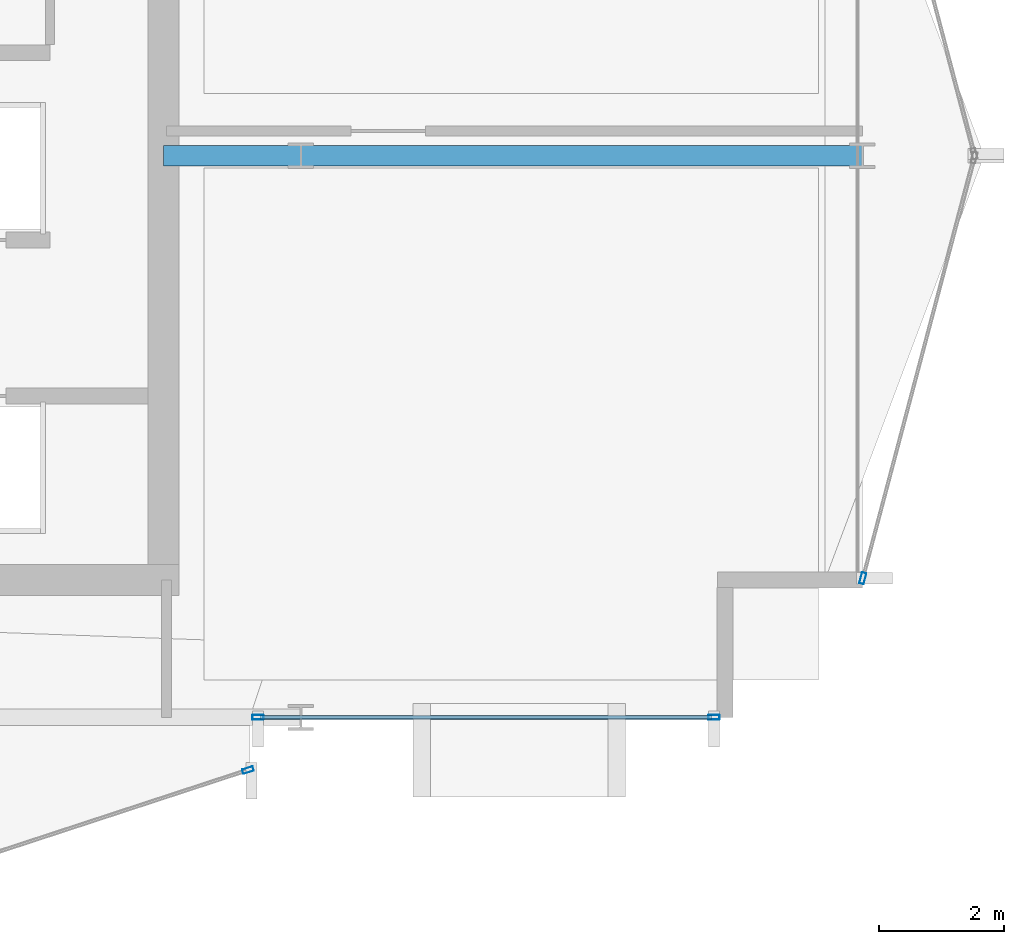
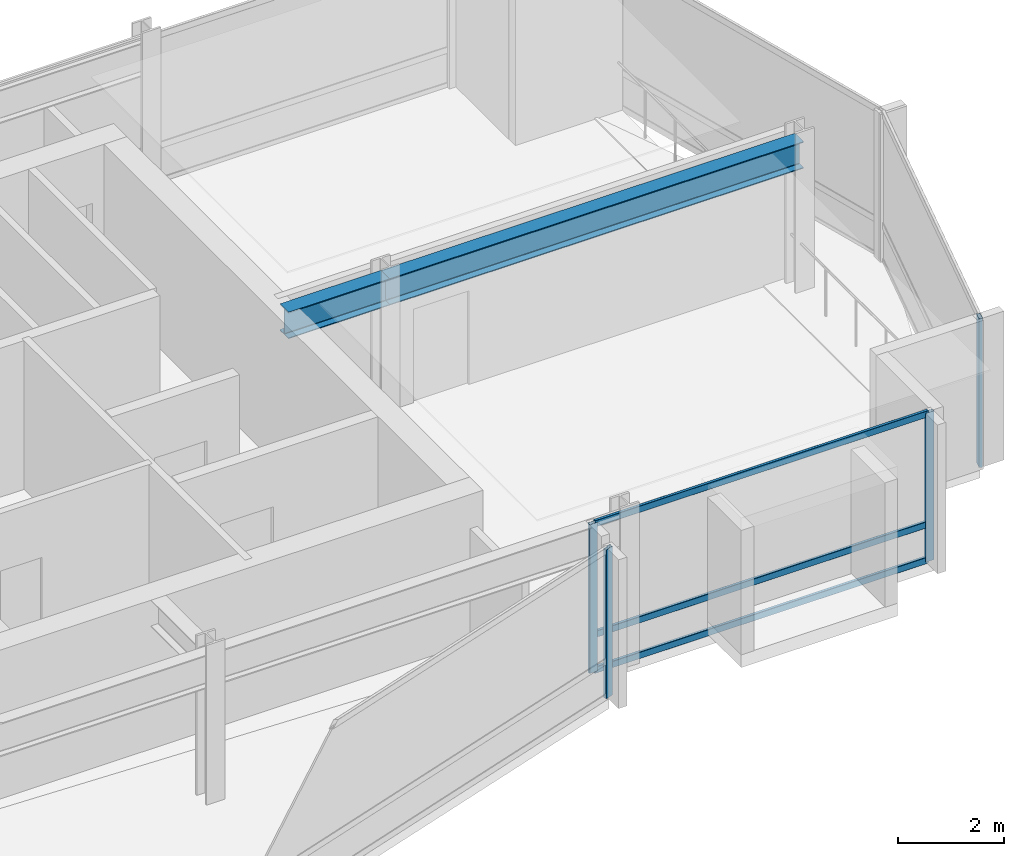
# One storey, part 10 of 27: 7 members, 2 beams, 3 elements without a shape of their own.
"""IFC4 building model written with IfcOpenShell, lengths in metres."""

import ifcopenshell
import ifcopenshell.guid

model = None  # the IFC model being written
_history = None  # IfcOwnerHistory: only IFC2X3 demands one
_inside = {}  # id of a spatial element -> (the spatial element, [elements in it])
_under = {}  # id of a project, library or spatial element -> (it, [spatial elements below it])
_declared = {}  # id of a project -> (the project, [libraries it declares])
_typed = {}  # id of a type object -> (the type object, [elements of that type])
_made_of = {}  # id of a material, layer set ... -> (it, [elements and type objects made of it])


def new_model(schema):
    """Start an empty IFC model of exactly this schema.

    Asked for "IFC4X3", IfcOpenShell would pick the latest addendum, in which some entities
    have other attributes; the version numbers below select the first issue.
    IFC2X3 requires an IfcOwnerHistory on every rooted entity: one is made here for all.
    """
    global model, _history
    if schema == "IFC4X3":
        model = ifcopenshell.file(schema_version=(4, 3, 0, 0))
    else:
        model = ifcopenshell.file(schema=schema)
    _inside.clear()
    _under.clear()
    _declared.clear()
    _typed.clear()
    _made_of.clear()
    _history = None
    if model.schema == "IFC2X3":
        org = make("IfcOrganization", Name="unknown")
        user = make(
            "IfcPersonAndOrganization",
            ThePerson=make("IfcPerson", FamilyName="unknown"),
            TheOrganization=org,
        )
        app = make(
            "IfcApplication",
            ApplicationDeveloper=org,
            Version="unknown",
            ApplicationFullName="unknown",
            ApplicationIdentifier="unknown",
        )
        _history = make(
            "IfcOwnerHistory",
            OwningUser=user,
            OwningApplication=app,
            ChangeAction="ADDED",
            CreationDate=0,
        )
    return model


def make(cls, **values):
    """One entity of the class cls with the attributes given. An attribute that is None is left unset."""
    return model.create_entity(
        cls, **{name: value for name, value in values.items() if value is not None}
    )


def rooted(cls, **values):
    """An entity with a GlobalId (a new one), such as an element, a storey or a relation."""
    return make(cls, GlobalId=ifcopenshell.guid.new(), OwnerHistory=_history, **values)


def si_unit(unit_type, name, prefix=None):
    """IfcSIUnit, for example si_unit("LENGTHUNIT", "METRE", prefix="MILLI")."""
    return make("IfcSIUnit", UnitType=unit_type, Prefix=prefix, Name=name)


def assignment(units):
    """IfcUnitAssignment: the units of a project."""
    return None if units is None else make("IfcUnitAssignment", Units=units)


def point(xyz):
    """IfcCartesianPoint."""
    return None if xyz is None else make("IfcCartesianPoint", Coordinates=xyz)


def direction(xyz):
    """IfcDirection."""
    return None if xyz is None else make("IfcDirection", DirectionRatios=xyz)


def frame(location, z_axis=None, x_axis=None):
    """IfcAxis2Placement3D, a coordinate frame: its origin and axes. An axis left out is left unset."""
    return make(
        "IfcAxis2Placement3D",
        Location=point(location),
        Axis=direction(z_axis),
        RefDirection=direction(x_axis),
    )


def frame_2d(location, x_axis=None):
    """IfcAxis2Placement2D, a coordinate frame in the plane: its origin and x axis."""
    return make(
        "IfcAxis2Placement2D", Location=point(location), RefDirection=direction(x_axis)
    )


def origin():
    """The frame at (0, 0, 0) with its axes left unset."""
    return frame((0.0, 0.0, 0.0))


def origin_2d():
    """The frame at (0, 0) in the plane with its x axis left unset."""
    return frame_2d((0.0, 0.0))


def place(relative_to, where):
    """IfcLocalPlacement: puts the frame where relative to a parent placement (None: the world)."""
    return make(
        "IfcLocalPlacement", PlacementRelTo=relative_to, RelativePlacement=where
    )


def context(
    kind, dimensions, precision=None, world=None, true_north=None, identifier=None
):
    """IfcGeometricRepresentationContext, for example the 3D "Model" context."""
    return make(
        "IfcGeometricRepresentationContext",
        ContextIdentifier=identifier,
        ContextType=kind,
        CoordinateSpaceDimension=dimensions,
        Precision=precision,
        WorldCoordinateSystem=world,
        TrueNorth=true_north,
    )


def subcontext(parent, identifier, kind, view, scale=None):
    """IfcGeometricRepresentationSubContext, for example "Body" below "Model"."""
    return make(
        "IfcGeometricRepresentationSubContext",
        ContextIdentifier=identifier,
        ContextType=kind,
        ParentContext=parent,
        TargetScale=scale,
        TargetView=view,
    )


def project(units=None, contexts=None):
    """IfcProject with its units and contexts."""
    return rooted(
        "IfcProject",
        Name="project",
        RepresentationContexts=contexts,
        UnitsInContext=assignment(units),
    )


def spatial(cls, under=None, at=None, **own):
    """A site, building, storey or space (cls), placed at a placement, below another one or the project."""
    s = rooted(cls, ObjectPlacement=at, **own)
    if under is not None:
        _under.setdefault(under.id(), (under, []))[1].append(s)
    return s


def profile(cls, at=None, kind="AREA", **sizes):
    """A parametric profile (cls). Its sizes go by their IFC names, for example OverallWidth=200.0."""
    return make(cls, ProfileType=kind, Position=at, **sizes)


def hollow_rectangle(**sizes):
    """IfcRectangleHollowProfileDef."""
    return profile("IfcRectangleHollowProfileDef", **sizes)


def i_section(**sizes):
    """IfcIShapeProfileDef."""
    return profile("IfcIShapeProfileDef", **sizes)


def extrude(swept, where, along, depth):
    """IfcExtrudedAreaSolid: the profile swept, set in the frame where, extruded along a direction by depth."""
    return make(
        "IfcExtrudedAreaSolid",
        SweptArea=swept,
        Position=where,
        ExtrudedDirection=direction(along),
        Depth=depth,
    )


def shape(context_of_items, identifier, shape_type, items):
    """IfcShapeRepresentation: the items that make up one representation, for example the "Body"."""
    return make(
        "IfcShapeRepresentation",
        ContextOfItems=context_of_items,
        RepresentationIdentifier=identifier,
        RepresentationType=shape_type,
        Items=items,
    )


def material(Name=None, Category=None):
    """IfcMaterial."""
    return make("IfcMaterial", Name=Name, Category=Category)


def layer(
    of_material, thickness, ventilated=None, Name=None, Category=None, Priority=None
):
    """IfcMaterialLayer: one layer of a wall or slab, of a material (None: an air gap)."""
    return make(
        "IfcMaterialLayer",
        Material=of_material,
        LayerThickness=thickness,
        IsVentilated=ventilated,
        Name=Name,
        Category=Category,
        Priority=Priority,
    )


def layer_set(layers, Name=None):
    """IfcMaterialLayerSet."""
    return make("IfcMaterialLayerSet", MaterialLayers=layers, LayerSetName=Name)


def material_profile(
    of_material, cross_section, Name=None, Category=None, Priority=None
):
    """IfcMaterialProfile: a cross section and its material."""
    return make(
        "IfcMaterialProfile",
        Name=Name,
        Material=of_material,
        Profile=cross_section,
        Priority=Priority,
        Category=Category,
    )


def profile_set(profiles, Name=None, composite=None):
    """IfcMaterialProfileSet."""
    return make(
        "IfcMaterialProfileSet",
        Name=Name,
        MaterialProfiles=profiles,
        CompositeProfile=composite,
    )


def made_of(thing, what):
    """Note that an element or type object is made of a material, layer set ...; save() writes the relation."""
    if what is not None:
        _made_of.setdefault(what.id(), (what, []))[1].append(thing)
    return thing


def type_object(cls, material=None, **own):
    """A type object (cls), such as IfcWallType, which elements share."""
    return made_of(rooted(cls, **own), material)


def element(
    cls,
    number,
    at=None,
    inside=None,
    cuts=None,
    type_object=None,
    material=None,
    context=None,
    identifier="Body",
    shape_type=None,
    held_by="IfcProductDefinitionShape",
    body=None,
    shapes=None,
    **own,
):
    """One element of the class cls, such as IfcWall. Its Tag is "e" and its number.

    at: its placement. inside: the storey or other place that contains it. cuts: it is an
    opening in that element (IfcRelVoidsElement). A single representation is given by context,
    identifier, shape_type and body (its items); several are given by shapes. held_by: the class
    of the entity that holds the representations. save() writes the other relations.
    """
    e = rooted(cls, Tag="e%d" % number, ObjectPlacement=at, **own)
    if body is not None:
        shapes = [shape(context, identifier, shape_type, body)]
    if shapes is not None:
        e.Representation = make(held_by, Representations=shapes)
    if inside is not None:
        _inside.setdefault(inside.id(), (inside, []))[1].append(e)
    if cuts is not None:
        rooted(
            "IfcRelVoidsElement", RelatingBuildingElement=cuts, RelatedOpeningElement=e
        )
    if type_object is not None:
        _typed.setdefault(type_object.id(), (type_object, []))[1].append(e)
    return made_of(e, material)


def aggregate(whole, parts):
    """IfcRelAggregates: a whole, such as a stair, and the parts it consists of."""
    return rooted("IfcRelAggregates", RelatingObject=whole, RelatedObjects=parts)


def save(model, path):
    """Write the relations noted so far, then the file.

    IfcRelAggregates (storeys below a building ...), IfcRelContainedInSpatialStructure (elements
    in a storey), IfcRelDefinesByType, IfcRelAssociatesMaterial and IfcRelDeclares: one each for
    every whole, place, type object, material and project.
    """
    for whole, parts in _under.values():
        aggregate(whole, parts)
    for where, things in _inside.values():
        rooted(
            "IfcRelContainedInSpatialStructure",
            RelatedElements=things,
            RelatingStructure=where,
        )
    for kind, things in _typed.values():
        rooted("IfcRelDefinesByType", RelatedObjects=things, RelatingType=kind)
    for what, things in _made_of.values():
        rooted("IfcRelAssociatesMaterial", RelatedObjects=things, RelatingMaterial=what)
    for by, libraries in _declared.values():
        rooted("IfcRelDeclares", RelatingContext=by, RelatedDefinitions=libraries)
    model.write(path)


model = new_model("IFC4")

# Units and contexts
model_context = context("Model", 3, precision=1e-05, world=origin(), true_north=direction((0.0, 1.0)))
body_context = subcontext(model_context, "Body", "Model", "MODEL_VIEW")
ifc_project = project(units=[si_unit("LENGTHUNIT", "METRE"), si_unit("AREAUNIT", "SQUARE_METRE"), si_unit("VOLUMEUNIT", "CUBIC_METRE"), si_unit("PLANEANGLEUNIT", "RADIAN"), si_unit("MASSUNIT", "GRAM", prefix="KILO")], contexts=[model_context])

# Site, building, storey
site_placement = place(None, origin())
site = spatial("IfcSite", under=ifc_project, at=site_placement, CompositionType="ELEMENT")
building_placement = place(site_placement, origin())
building = spatial("IfcBuilding", under=site, at=building_placement, Name="Solvaryn Broadcast Tower", CompositionType="ELEMENT")
storey_placement = place(building_placement, frame((0.0, 0.0, 177.89990234375)))
storey = spatial("IfcBuildingStorey", under=building, at=storey_placement, Name="L44", CompositionType="ELEMENT", Elevation=177.89990234375)

# Beams
ifc_material_1 = material(Name="Steel ASTM A992 Grade 50", Category="steel")
ifc_material_profile_1 = material_profile(ifc_material_1, i_section(OverallWidth=0.323974609375, OverallDepth=0.611083984375, WebThickness=0.0126953125, FlangeThickness=0.01904296875, FilletRadius=0.014892578125, at=origin_2d()))
ifc_profile_set_1 = profile_set([ifc_material_profile_1], Name="Steel ASTM A992 Grade 50")
beam_type = type_object("IfcBeamType", Name="BM-B1-W24X104", PredefinedType="BEAM", material=ifc_profile_set_1)
beam_1_placement = place(storey_placement, frame((45.0, 18.0, 3.114501953125), z_axis=(1.0, 0.0, 0.0), x_axis=(0.0, 1.0, 0.0)))
element("IfcBeam", 1, at=beam_1_placement, inside=storey, type_object=beam_type, Name="L44 Primary Beam X (45-54 @ Y=18)", PredefinedType="BEAM", context=body_context, shape_type="SweptSolid", body=[
    extrude(i_section(OverallWidth=0.323974609375, OverallDepth=0.611083984375, WebThickness=0.0126953125, FlangeThickness=0.01904296875, FilletRadius=0.014892578125, at=origin_2d()), origin(), (0.0, 0.0, 1.0), 9.0),
])
beam_2_placement = place(storey_placement, frame((42.800048828125, 18.0, 3.114501953125), z_axis=(1.0, 0.0, 0.0), x_axis=(0.0, 1.0, 0.0)))
element("IfcBeam", 2, at=beam_2_placement, inside=storey, type_object=beam_type, Name="L44 Core Tie Beam CTE3", PredefinedType="BEAM", context=body_context, shape_type="SweptSolid", body=[
    extrude(i_section(OverallWidth=0.323974609375, OverallDepth=0.611083984375, WebThickness=0.0126953125, FlangeThickness=0.01904296875, FilletRadius=0.014892578125, at=origin_2d()), origin(), (0.0, 0.0, 1.0), 2.199951171875),
])

# Curtain wall, member
ifc_material_2 = material(Name="Aluminium and Terracotta Unitised Curtain Wall", Category="masonry")
ifc_layer = layer(ifc_material_2, 0.199951171875)
ifc_layer_set = layer_set([ifc_layer], Name="CW-SYS2-LOWMID")
curtain_wall_type = type_object("IfcCurtainWallType", Name="CW-SYS2-LOWMID", PredefinedType="NOTDEFINED", material=ifc_layer_set)
curtain_wall_1_placement = place(storey_placement, origin())
curtain_wall_1 = element("IfcCurtainWall", 3, at=curtain_wall_1_placement, inside=storey, type_object=curtain_wall_type, Name="L44 Curtain Wall DR4", PredefinedType="NOTDEFINED")
ifc_material_3 = material(Name="Anodised Aluminium 6063-T6", Category="aluminium")
ifc_material_profile_2 = material_profile(ifc_material_3, hollow_rectangle(XDim=0.074951171875, YDim=0.179931640625, WallThickness=0.00390625, InnerFilletRadius=0.00390625, OuterFilletRadius=0.008056640625, at=origin_2d()))
ifc_profile_set_2 = profile_set([ifc_material_profile_2], Name="Anodised Aluminium 6063-T6")
member_type_1 = type_object("IfcMemberType", Name="CW-MUL-180", PredefinedType="MULLION", material=ifc_profile_set_2)
member_1_placement = place(storey_placement, frame((44.153564453125, 8.153564453125, 0.0), z_axis=(0.0, 0.0, 1.0), x_axis=(-0.311558717623, 0.950226902099, 0.0)))
member_1 = element("IfcMember", 4, at=member_1_placement, type_object=member_type_1, Name="CWS2 mullion 2", PredefinedType="MULLION", context=body_context, shape_type="SweptSolid", body=[
    extrude(hollow_rectangle(XDim=0.074951171875, YDim=0.179931640625, WallThickness=0.00390625, InnerFilletRadius=0.00390625, OuterFilletRadius=0.008056640625, at=origin_2d()), origin(), (0.0, 0.0, 1.0), 3.420166015625),
])
aggregate(curtain_wall_1, [member_1])

# Curtain wall, members
curtain_wall_2_placement = place(storey_placement, origin())
curtain_wall_2 = element("IfcCurtainWall", 5, at=curtain_wall_2_placement, inside=storey, type_object=curtain_wall_type, Name="L44 Curtain Wall S2", PredefinedType="NOTDEFINED")
member_2_placement = place(storey_placement, frame((44.31201171875, 9.0, 0.0), z_axis=(0.0, 0.0, 1.0), x_axis=(0.0, 1.0, 0.0)))
member_2 = element("IfcMember", 6, at=member_2_placement, type_object=member_type_1, Name="CWS2 mullion 1", PredefinedType="MULLION", context=body_context, shape_type="SweptSolid", body=[
    extrude(hollow_rectangle(XDim=0.074951171875, YDim=0.179931640625, WallThickness=0.00390625, InnerFilletRadius=0.00390625, OuterFilletRadius=0.008056640625, at=origin_2d()), origin(), (0.0, 0.0, 1.0), 3.420166015625),
])
member_3_placement = place(storey_placement, frame((51.6201171875, 9.0, 0.0), z_axis=(0.0, 0.0, 1.0), x_axis=(0.0, 1.0, 0.0)))
member_3 = element("IfcMember", 7, at=member_3_placement, type_object=member_type_1, Name="CWS2 mullion 2", PredefinedType="MULLION", context=body_context, shape_type="SweptSolid", body=[
    extrude(hollow_rectangle(XDim=0.074951171875, YDim=0.179931640625, WallThickness=0.00390625, InnerFilletRadius=0.00390625, OuterFilletRadius=0.008056640625, at=origin_2d()), origin(), (0.0, 0.0, 1.0), 3.420166015625),
])

# Curtain wall, member
curtain_wall_3_placement = place(storey_placement, origin())
curtain_wall_3 = element("IfcCurtainWall", 8, at=curtain_wall_3_placement, inside=storey, type_object=curtain_wall_type, Name="L44 Curtain Wall ET2", PredefinedType="NOTDEFINED")
member_4_placement = place(storey_placement, frame((54.007568359375, 11.22900390625, 0.0), z_axis=(0.0, 0.0, 1.0), x_axis=(0.966705227863, -0.25589256031, 0.0)))
member_4 = element("IfcMember", 9, at=member_4_placement, type_object=member_type_1, Name="CWS2 mullion 2", PredefinedType="MULLION", context=body_context, shape_type="SweptSolid", body=[
    extrude(hollow_rectangle(XDim=0.074951171875, YDim=0.179931640625, WallThickness=0.00390625, InnerFilletRadius=0.00390625, OuterFilletRadius=0.008056640625, at=origin_2d()), origin(), (0.0, 0.0, 1.0), 3.420166015625),
])
aggregate(curtain_wall_3, [member_4])

# Member
ifc_material_4 = material(Name="Anodised Aluminium 6063-T6", Category="aluminium")
ifc_material_profile_3 = material_profile(ifc_material_4, hollow_rectangle(XDim=0.06494140625, YDim=0.14990234375, WallThickness=0.00390625, InnerFilletRadius=0.00390625, OuterFilletRadius=0.008056640625, at=origin_2d()))
ifc_profile_set_3 = profile_set([ifc_material_profile_3], Name="Anodised Aluminium 6063-T6")
member_type_2 = type_object("IfcMemberType", Name="CW-TRN-150", PredefinedType="USERDEFINED", material=ifc_profile_set_3)
member_5_placement = place(storey_placement, frame((44.342041015625, 9.0, 0.030029296875), z_axis=(1.0, 0.0, 0.0), x_axis=(0.0, 1.0, 0.0)))
member_5 = element("IfcMember", 10, at=member_5_placement, type_object=member_type_2, Name="CWS2 transom 1.1", ObjectType="TRANSOM", PredefinedType="USERDEFINED", context=body_context, shape_type="SweptSolid", body=[
    extrude(hollow_rectangle(XDim=0.06494140625, YDim=0.14990234375, WallThickness=0.00390625, InnerFilletRadius=0.00390625, OuterFilletRadius=0.008056640625, at=origin_2d()), origin(), (0.0, 0.0, 1.0), 7.248046875),
])

member_6_placement = place(storey_placement, frame((44.342041015625, 9.0, 0.85009765625), z_axis=(1.0, 0.0, 0.0), x_axis=(0.0, 1.0, 0.0)))
member_6 = element("IfcMember", 11, at=member_6_placement, type_object=member_type_2, Name="CWS2 transom 1.2", ObjectType="TRANSOM", PredefinedType="USERDEFINED", context=body_context, shape_type="SweptSolid", body=[
    extrude(hollow_rectangle(XDim=0.06494140625, YDim=0.14990234375, WallThickness=0.00390625, InnerFilletRadius=0.00390625, OuterFilletRadius=0.008056640625, at=origin_2d()), origin(), (0.0, 0.0, 1.0), 7.248046875),
])

member_7_placement = place(storey_placement, frame((44.342041015625, 9.0, 3.39013671875), z_axis=(1.0, 0.0, 0.0), x_axis=(0.0, 1.0, 0.0)))
member_7 = element("IfcMember", 12, at=member_7_placement, type_object=member_type_2, Name="CWS2 transom 1.3", ObjectType="TRANSOM", PredefinedType="USERDEFINED", context=body_context, shape_type="SweptSolid", body=[
    extrude(hollow_rectangle(XDim=0.06494140625, YDim=0.14990234375, WallThickness=0.00390625, InnerFilletRadius=0.00390625, OuterFilletRadius=0.008056640625, at=origin_2d()), origin(), (0.0, 0.0, 1.0), 7.248046875),
])

aggregate(curtain_wall_2, [member_2, member_3, member_5, member_6, member_7])

save(model, "model.ifc")
